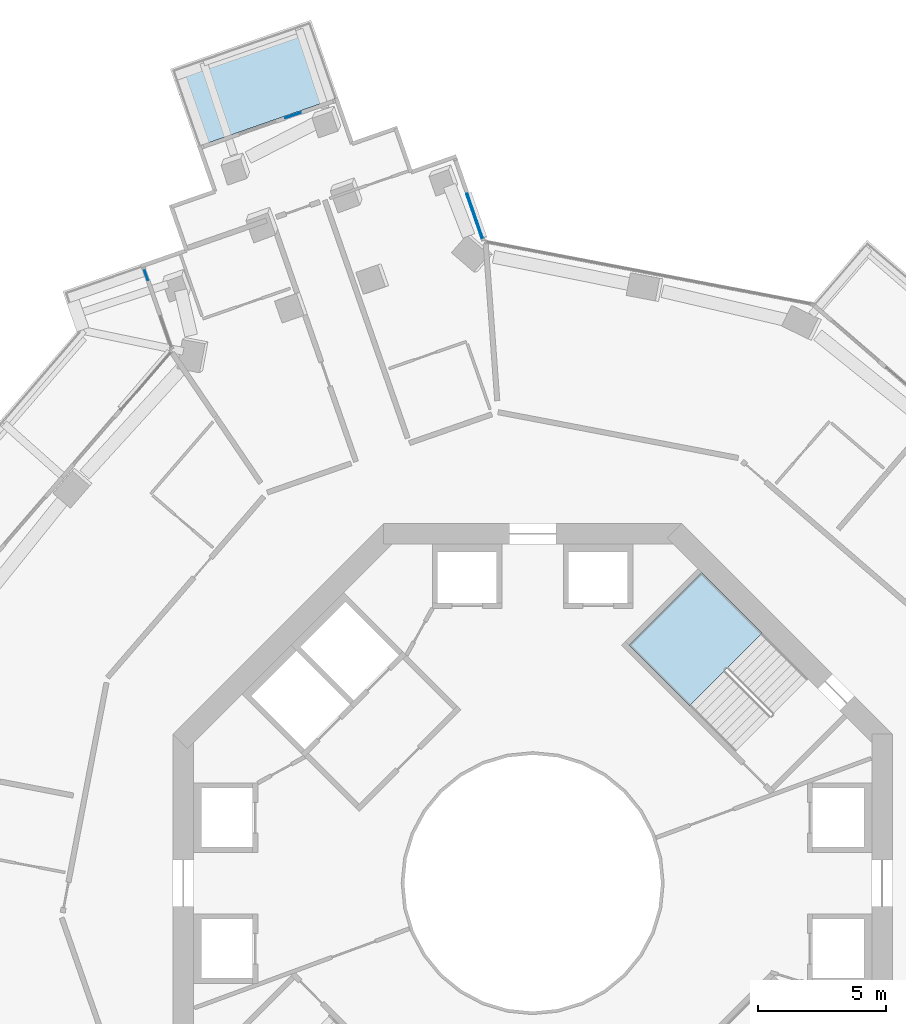
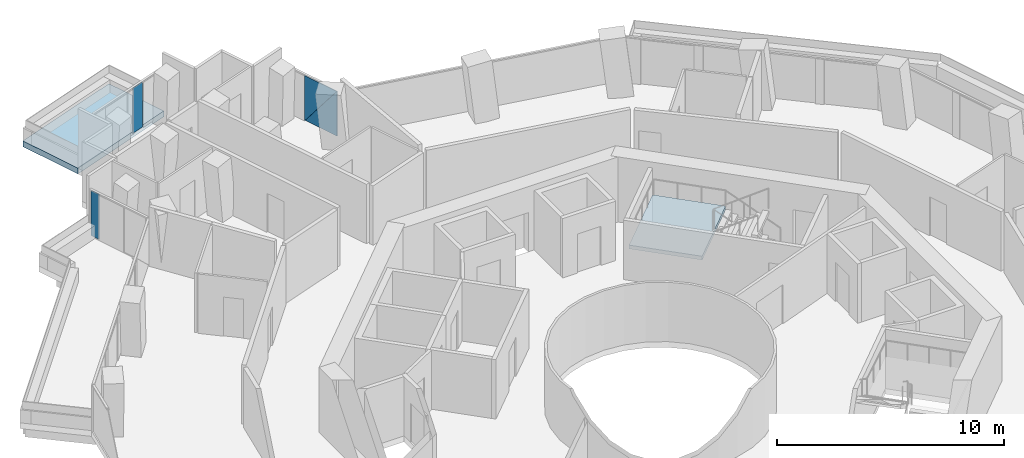
# One storey, part 13 of 23: 4 plates, 2 slabs, 4 elements without a shape of their own.
"""IFC4 building model written with IfcOpenShell, lengths in metres."""

from ifc_helpers import new_model, si_unit, direction, frame, origin, origin_2d, place, context, subcontext, project, spatial, polyline, rectangle, outline, extrude, material, layer, layer_set, type_object, element, aggregate, save


model = new_model("IFC4")

# Units and contexts
model_context = context("Model", 3, precision=1e-05, world=origin(), true_north=direction((0.0, 1.0)))
body_context = subcontext(model_context, "Body", "Model", "MODEL_VIEW")
ifc_project = project(units=[si_unit("LENGTHUNIT", "METRE"), si_unit("AREAUNIT", "SQUARE_METRE"), si_unit("VOLUMEUNIT", "CUBIC_METRE"), si_unit("PLANEANGLEUNIT", "RADIAN"), si_unit("MASSUNIT", "GRAM", prefix="KILO")], contexts=[model_context])

# Site, building, storey
site_placement = place(None, origin())
site = spatial("IfcSite", under=ifc_project, at=site_placement, CompositionType="ELEMENT")
building_placement = place(site_placement, origin())
building = spatial("IfcBuilding", under=site, at=building_placement, Name="Verdalira Terraces Hotel", CompositionType="ELEMENT")
storey_placement = place(building_placement, frame((0.0, 0.0, 111.5)))
storey = spatial("IfcBuildingStorey", under=building, at=storey_placement, Name="L26", CompositionType="ELEMENT", Elevation=111.5)

# Slab
ifc_material_1 = material(Name="Precast concrete C40/50", Category="concrete")
ifc_layer_1 = layer(ifc_material_1, 0.31005859375)
ifc_layer_set_1 = layer_set([ifc_layer_1], Name="Balcony deck 310")
slab_type_1 = type_object("IfcSlabType", Name="Balcony deck 310", PredefinedType="FLOOR", material=ifc_layer_set_1)
slab_1_placement = place(storey_placement, frame((0.0, 0.0, -0.310059)))
element("IfcSlab", 1, at=slab_1_placement, inside=storey, type_object=slab_type_1, Name="Balcony deck", PredefinedType="FLOOR", context=body_context, shape_type="SweptSolid", body=[
    extrude(outline(polyline([(-14.108154, 31.69458), (-13.055664, 28.672607), (-7.578369, 30.580078), (-8.630615, 33.602051), (-14.108154, 31.69458)])), origin(), (0.0, 0.0, 1.0), 0.310059),
])

# Curtain wall, plates
ifc_material_2 = material(Name="Clear glass", Category="glass")
ifc_layer_2 = layer(ifc_material_2, 0.14990234375)
ifc_layer_set_2 = layer_set([ifc_layer_2], Name="CW2 curtain wall")
curtain_wall_type_1 = type_object("IfcCurtainWallType", Name="CW2 curtain wall", PredefinedType="NOTDEFINED", material=ifc_layer_set_2)
curtain_wall_1_placement = place(storey_placement, origin())
curtain_wall_1 = element("IfcCurtainWall", 2, at=curtain_wall_1_placement, inside=storey, type_object=curtain_wall_type_1, Name="CW2 curtain wall L26 edge 0", PredefinedType="NOTDEFINED")
ifc_material_3 = material(Name="Clear glass", Category="glass")
ifc_layer_3 = layer(ifc_material_3, 0.031982421875)
ifc_layer_set_3 = layer_set([ifc_layer_3], Name="CW2 glass unit 32")
plate_type_1 = type_object("IfcPlateType", Name="CW2 glass unit 32", PredefinedType="CURTAIN_PANEL", material=ifc_layer_set_3)
plate_1_placement = place(storey_placement, frame((-2.254639, 25.962646, 1.212402), z_axis=(0.94437637, 0.328866647, 0.0), x_axis=(-0.328866647, 0.94437637, 0.0)))
plate_1 = element("IfcPlate", 3, at=plate_1_placement, type_object=plate_type_1, Name="CW2 glass unit", PredefinedType="CURTAIN_PANEL", context=body_context, shape_type="SweptSolid", body=[
    extrude(outline(polyline([(-0.931641, -1.212402), (0.931641, -1.212402), (-0.931641, 1.212402), (-0.931641, -1.212402)])), origin(), (0.0, 0.0, 1.0), 0.031982),
])
plate_2_placement = place(storey_placement, frame((-2.285645, 25.951904, 1.212402), z_axis=(0.94437637, 0.328866647, 0.0), x_axis=(-0.328866647, 0.94437637, 0.0)))
plate_2 = element("IfcPlate", 4, at=plate_2_placement, type_object=plate_type_1, Name="CW2 glass unit", PredefinedType="CURTAIN_PANEL", context=body_context, shape_type="SweptSolid", body=[
    extrude(outline(polyline([(0.931641, -1.212402), (0.931641, 1.212402), (-0.931641, 1.212402), (0.931641, -1.212402)])), origin(), (0.0, 0.0, 1.0), 0.031982),
])
aggregate(curtain_wall_1, [plate_1, plate_2])

# Curtain wall, plate
curtain_wall_2_placement = place(storey_placement, origin())
curtain_wall_2 = element("IfcCurtainWall", 5, at=curtain_wall_2_placement, inside=storey, type_object=curtain_wall_type_1, Name="CW2 curtain wall L26 edge 10", PredefinedType="NOTDEFINED")
plate_3_placement = place(storey_placement, frame((-15.052734, 23.688721, 0.0), z_axis=(0.0, 0.0, 1.0), x_axis=(0.328866647, -0.94437637, 0.0)))
plate_3 = element("IfcPlate", 6, at=plate_3_placement, type_object=plate_type_1, Name="CW2 glass unit", PredefinedType="CURTAIN_PANEL", context=body_context, shape_type="SweptSolid", body=[
    extrude(rectangle(XDim=0.459961, YDim=0.031982, at=origin_2d()), origin(), (0.0, 0.0, 1.0), 2.425049),
])
aggregate(curtain_wall_2, [plate_3])

ifc_material_4 = material(Name="Clear glass", Category="glass")
ifc_layer_4 = layer(ifc_material_4, 0.14990234375)
ifc_layer_set_4 = layer_set([ifc_layer_4], Name="CW3 curtain wall")
curtain_wall_type_2 = type_object("IfcCurtainWallType", Name="CW3 curtain wall", PredefinedType="NOTDEFINED", material=ifc_layer_set_4)
curtain_wall_3_placement = place(storey_placement, origin())
curtain_wall_3 = element("IfcCurtainWall", 7, at=curtain_wall_3_placement, inside=storey, type_object=curtain_wall_type_2, Name="CW3 curtain wall L26 edge 5", PredefinedType="NOTDEFINED")
ifc_material_5 = material(Name="Clear glass", Category="glass")
ifc_layer_5 = layer(ifc_material_5, 0.035888671875)
ifc_layer_set_5 = layer_set([ifc_layer_5], Name="CW3 glass unit 36")
plate_type_2 = type_object("IfcPlateType", Name="CW3 glass unit 36", PredefinedType="CURTAIN_PANEL", material=ifc_layer_set_5)
plate_4_placement = place(storey_placement, frame((-9.32959, 29.890869, 0.0), z_axis=(0.0, 0.0, 1.0), x_axis=(-0.94437637, -0.328866647, 0.0)))
plate_4 = element("IfcPlate", 8, at=plate_4_placement, type_object=plate_type_2, Name="CW3 glass unit", PredefinedType="CURTAIN_PANEL", context=body_context, shape_type="SweptSolid", body=[
    extrude(rectangle(XDim=0.63916, YDim=0.035889, at=origin_2d()), origin(), (0.0, 0.0, 1.0), 2.425049),
])
aggregate(curtain_wall_3, [plate_4])

# Stair, slab
ifc_material_6 = material(Name="Concrete C40", Category="concrete")
stair_type = type_object("IfcStairType", Name="Core stair 20 risers 1950 mm wide", PredefinedType="HALF_TURN_STAIR", material=ifc_material_6)
stair_placement = place(storey_placement, origin())
stair = element("IfcStair", 9, at=stair_placement, inside=storey, type_object=stair_type, Name="L26 Exit stair ST1", PredefinedType="HALF_TURN_STAIR")
ifc_material_7 = material(Name="Concrete C40", Category="concrete")
ifc_layer_6 = layer(ifc_material_7, 0.199951171875)
ifc_layer_set_6 = layer_set([ifc_layer_6], Name="Core stair landing 200 mm")
slab_type_2 = type_object("IfcSlabType", Name="Core stair landing 200 mm", PredefinedType="LANDING", material=ifc_layer_set_6)
slab_2_placement = place(storey_placement, frame((0.0, 0.0, 1.550049)))
slab_2 = element("IfcSlab", 10, at=slab_2_placement, type_object=slab_type_2, Name="ST1 landing 1", PredefinedType="LANDING", context=body_context, shape_type="SweptSolid", body=[
    extrude(outline(polyline([(8.931152, 9.736572), (6.576172, 12.091553), (3.747559, 9.263184), (6.102783, 6.907959), (8.931152, 9.736572)])), origin(), (0.0, 0.0, 1.0), 0.199951),
])
aggregate(stair, [slab_2])

save(model, "model.ifc")
